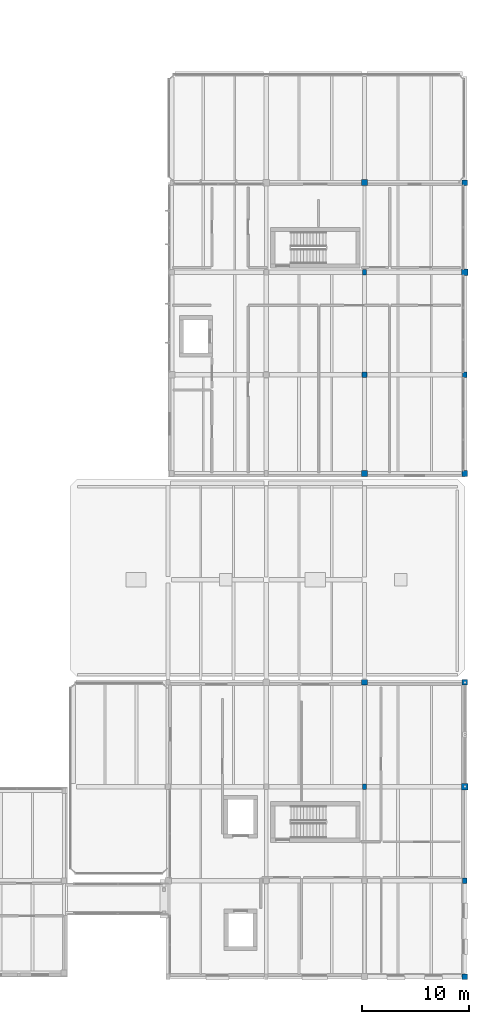
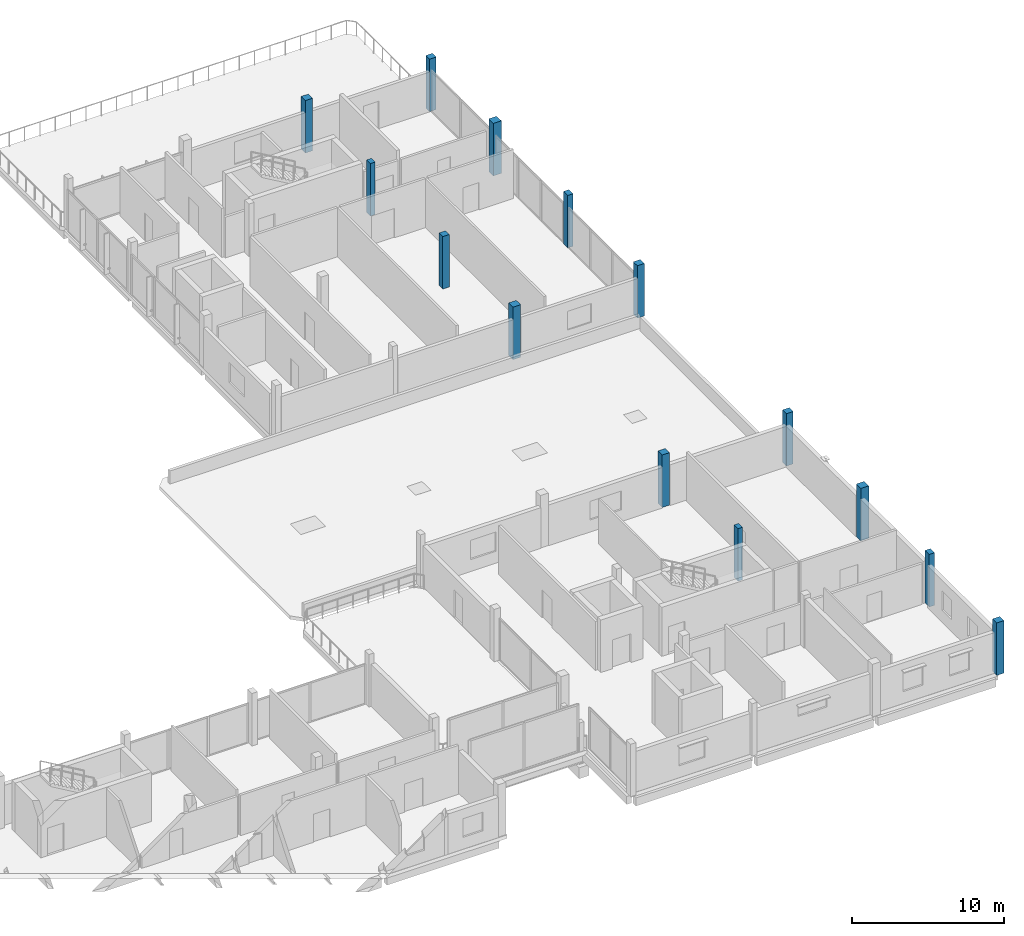
# One storey, part 3 of 41: 14 columns.
"""IFC4 building model written with IfcOpenShell, lengths in metres."""

from ifc_helpers import new_model, si_unit, direction, frame, origin, origin_2d, place, context, subcontext, project, spatial, rectangle, extrude, material, material_profile, profile_set, type_object, element, save


model = new_model("IFC4")

# Units and contexts
model_context = context("Model", 3, precision=1e-05, world=origin(), true_north=direction((0.0, 1.0)))
body_context = subcontext(model_context, "Body", "Model", "MODEL_VIEW")
ifc_project = project(units=[si_unit("LENGTHUNIT", "METRE"), si_unit("AREAUNIT", "SQUARE_METRE"), si_unit("VOLUMEUNIT", "CUBIC_METRE"), si_unit("PLANEANGLEUNIT", "RADIAN"), si_unit("MASSUNIT", "GRAM", prefix="KILO")], contexts=[model_context])

# Site, building, storey
site_placement = place(None, origin())
site = spatial("IfcSite", under=ifc_project, at=site_placement, CompositionType="ELEMENT")
building_placement = place(site_placement, origin())
building = spatial("IfcBuilding", under=site, at=building_placement, Name="Birchvale Park Specialist Clinic", CompositionType="ELEMENT")
storey_placement = place(building_placement, frame((0.0, 0.0, 9.60009765625)))
storey = spatial("IfcBuildingStorey", under=building, at=storey_placement, Name="L02", CompositionType="ELEMENT", Elevation=9.60009765625)

# Columns
ifc_material = material(Name="Concrete C40/50", Category="concrete")
ifc_material_profile_1 = material_profile(ifc_material, rectangle(XDim=0.580078125, YDim=0.580078125, at=origin_2d()), Name="RC-580x580")
ifc_profile_set_1 = profile_set([ifc_material_profile_1], Name="Concrete C40/50")
column_type_1 = type_object("IfcColumnType", Name="COL-EXT-C03", PredefinedType="COLUMN", material=ifc_profile_set_1)
column_1_placement = place(storey_placement, frame((146.39990234375, 63.949951171875, 0.0), z_axis=(0.0, 0.0, 1.0), x_axis=(1.0, 0.0, 0.0)))
element("IfcColumn", 1, at=column_1_placement, inside=storey, type_object=column_type_1, Name="V6 L02 column 9", PredefinedType="COLUMN", context=body_context, shape_type="SweptSolid", body=[
    extrude(rectangle(XDim=0.580078125, YDim=0.580078125, at=origin_2d()), origin(), (0.0, 0.0, 1.0), 4.199951171875),
])
ifc_material_profile_2 = material_profile(ifc_material, rectangle(XDim=0.530029296875, YDim=0.530029296875, at=origin_2d()), Name="RC-530x530")
ifc_profile_set_2 = profile_set([ifc_material_profile_2], Name="Concrete C40/50")
column_type_2 = type_object("IfcColumnType", Name="COL-EXT-C04", PredefinedType="COLUMN", material=ifc_profile_set_2)
column_2_placement = place(storey_placement, frame((155.800048828125, 63.949951171875, 0.0), z_axis=(0.0, 0.0, 1.0), x_axis=(1.0, 0.0, 0.0)))
element("IfcColumn", 2, at=column_2_placement, inside=storey, type_object=column_type_2, Name="V6 L02 column 13", PredefinedType="COLUMN", context=body_context, shape_type="SweptSolid", body=[
    extrude(rectangle(XDim=0.530029296875, YDim=0.530029296875, at=origin_2d()), origin(), (0.0, 0.0, 1.0), 4.199951171875),
])
ifc_material_profile_3 = material_profile(ifc_material, rectangle(XDim=0.60009765625, YDim=0.60009765625, at=origin_2d()), Name="RC-600x600")
ifc_profile_set_3 = profile_set([ifc_material_profile_3], Name="Concrete C40/50")
column_type_3 = type_object("IfcColumnType", Name="COL-INT-C03", PredefinedType="COLUMN", material=ifc_profile_set_3)
for number, where, z_axis, x_axis, name in (
    (3, (155.800048828125, 34.60009765625, 0.0), (0.0, 0.0, 1.0), (1.0, 0.0, 0.0), "V5 L02 column 15"),
    (4, (155.800048828125, 82.800048828125, 0.0), (0.0, 0.0, 1.0), (1.0, 0.0, 0.0), "V6 L02 column 15"),
):
    element("IfcColumn", number, at=place(storey_placement, frame(where, z_axis=z_axis, x_axis=x_axis)), inside=storey, type_object=column_type_3, Name=name, PredefinedType="COLUMN", context=body_context, shape_type="SweptSolid", body=[
        extrude(rectangle(XDim=0.60009765625, YDim=0.60009765625, at=origin_2d()), origin(), (0.0, 0.0, 1.0), 4.199951171875),
    ])
ifc_material_profile_4 = material_profile(ifc_material, rectangle(XDim=0.550048828125, YDim=0.550048828125, at=origin_2d()), Name="RC-550x550")
ifc_profile_set_4 = profile_set([ifc_material_profile_4], Name="Concrete C40/50")
column_type_4 = type_object("IfcColumnType", Name="COL-INT-C04", PredefinedType="COLUMN", material=ifc_profile_set_4)
for number, where, z_axis, x_axis, name in (
    (5, (146.39990234375, 44.39990234375, 0.0), (0.0, 0.0, 1.0), (1.0, 0.0, 0.0), "V5 L02 column 12"),
    (6, (155.800048828125, 16.800048828125, 0.0), (0.0, 0.0, 1.0), (1.0, 0.0, 0.0), "V5 L02 column 13"),
    (7, (146.39990234375, 91.199951171875, 0.0), (0.0, 0.0, 1.0), (1.0, 0.0, 0.0), "V6 L02 column 12"),
):
    element("IfcColumn", number, at=place(storey_placement, frame(where, z_axis=z_axis, x_axis=x_axis)), inside=storey, type_object=column_type_4, Name=name, PredefinedType="COLUMN", context=body_context, shape_type="SweptSolid", body=[
        extrude(rectangle(XDim=0.550048828125, YDim=0.550048828125, at=origin_2d()), origin(), (0.0, 0.0, 1.0), 4.199951171875),
    ])
ifc_material_profile_5 = material_profile(ifc_material, rectangle(XDim=0.5, YDim=0.5, at=origin_2d()), Name="RC-500x500")
ifc_profile_set_5 = profile_set([ifc_material_profile_5], Name="Concrete C40/50")
column_type_5 = type_object("IfcColumnType", Name="COL-INT-C05", PredefinedType="COLUMN", material=ifc_profile_set_5)
for number, where, z_axis, x_axis, name in (
    (8, (155.800048828125, 44.39990234375, 0.0), (0.0, 0.0, 1.0), (1.0, 0.0, 0.0), "V5 L02 column 16"),
    (9, (146.39990234375, 73.199951171875, 0.0), (0.0, 0.0, 1.0), (1.0, 0.0, 0.0), "V6 L02 column 10"),
    (10, (155.800048828125, 91.199951171875, 0.0), (0.0, 0.0, 1.0), (1.0, 0.0, 0.0), "V6 L02 column 16"),
):
    element("IfcColumn", number, at=place(storey_placement, frame(where, z_axis=z_axis, x_axis=x_axis)), inside=storey, type_object=column_type_5, Name=name, PredefinedType="COLUMN", context=body_context, shape_type="SweptSolid", body=[
        extrude(rectangle(XDim=0.5, YDim=0.5, at=origin_2d()), origin(), (0.0, 0.0, 1.0), 4.199951171875),
    ])
ifc_material_profile_6 = material_profile(ifc_material, rectangle(XDim=0.39990234375, YDim=0.550048828125, at=origin_2d()), Name="RC-400x550")
ifc_profile_set_6 = profile_set([ifc_material_profile_6], Name="Concrete C40/50")
column_type_6 = type_object("IfcColumnType", Name="COL-INT-C10", PredefinedType="COLUMN", material=ifc_profile_set_6)
for number, where, z_axis, x_axis, name in (
    (11, (155.800048828125, 25.800048828125, 0.0), (0.0, 0.0, 1.0), (1.0, 0.0, 0.0), "V5 L02 column 14"),
    (12, (155.800048828125, 73.199951171875, 0.0), (0.0, 0.0, 1.0), (1.0, 0.0, 0.0), "V6 L02 column 14"),
):
    element("IfcColumn", number, at=place(storey_placement, frame(where, z_axis=z_axis, x_axis=x_axis)), inside=storey, type_object=column_type_6, Name=name, PredefinedType="COLUMN", context=body_context, shape_type="SweptSolid", body=[
        extrude(rectangle(XDim=0.39990234375, YDim=0.550048828125, at=origin_2d()), origin(), (0.0, 0.0, 1.0), 4.199951171875),
    ])
ifc_material_profile_7 = material_profile(ifc_material, rectangle(XDim=0.35009765625, YDim=0.5, at=origin_2d()), Name="RC-350x500")
ifc_profile_set_7 = profile_set([ifc_material_profile_7], Name="Concrete C40/50")
column_type_7 = type_object("IfcColumnType", Name="COL-INT-C11", PredefinedType="COLUMN", material=ifc_profile_set_7)
for number, where, z_axis, x_axis, name in (
    (13, (146.39990234375, 34.60009765625, 0.0), (0.0, 0.0, 1.0), (1.0, 0.0, 0.0), "V5 L02 column 11"),
    (14, (146.39990234375, 82.800048828125, 0.0), (0.0, 0.0, 1.0), (1.0, 0.0, 0.0), "V6 L02 column 11"),
):
    element("IfcColumn", number, at=place(storey_placement, frame(where, z_axis=z_axis, x_axis=x_axis)), inside=storey, type_object=column_type_7, Name=name, PredefinedType="COLUMN", context=body_context, shape_type="SweptSolid", body=[
        extrude(rectangle(XDim=0.35009765625, YDim=0.5, at=origin_2d()), origin(), (0.0, 0.0, 1.0), 4.199951171875),
    ])

save(model, "model.ifc")
